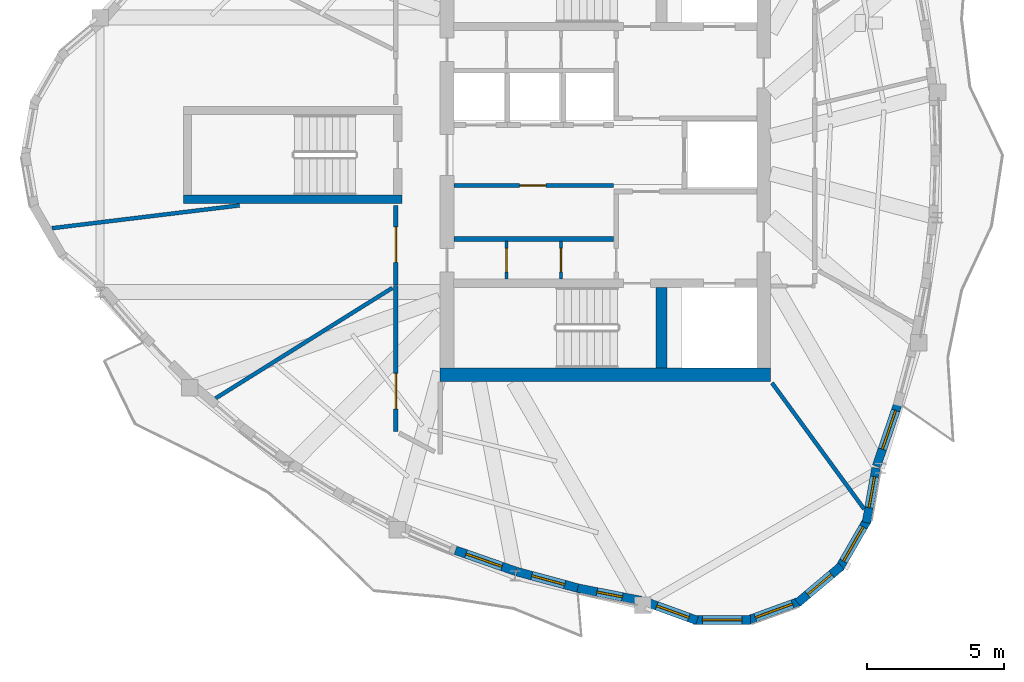
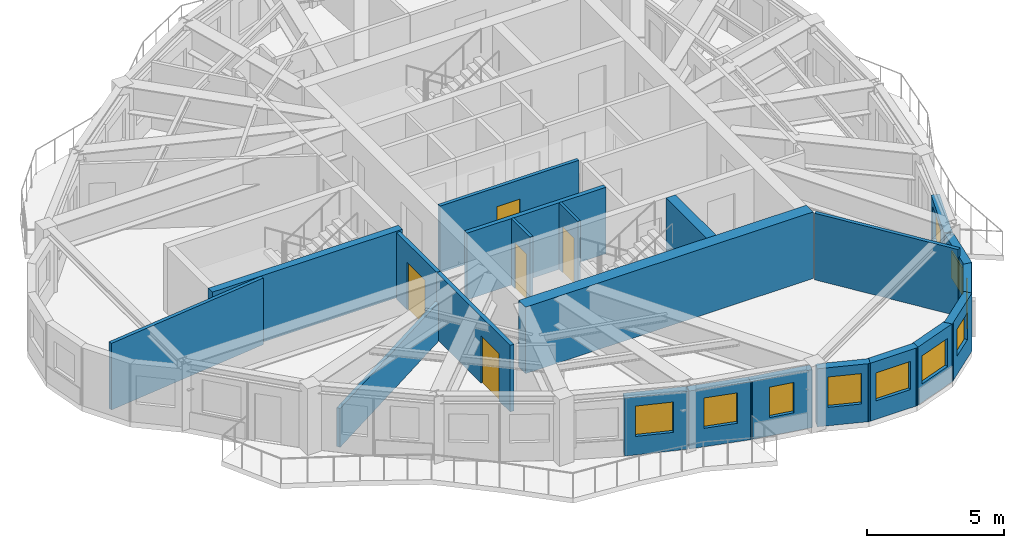
# One storey, part 3 of 11: 22 walls, 10 windows, 5 doors, 15 openings.
"""IFC4 building model written with IfcOpenShell, lengths in metres."""

from ifc_helpers import new_model, si_unit, direction, frame, frame_2d, origin, place, context, subcontext, project, spatial, rectangle, extrude, source, transform, mapped, material, layer, layer_set, type_object, element, fill, save


model = new_model("IFC4")

# Units and contexts
model_context = context("Model", 3, precision=1e-05, world=origin(), true_north=direction((0.0, 1.0)))
body_context = subcontext(model_context, "Body", "Model", "MODEL_VIEW")
ifc_project = project(units=[si_unit("LENGTHUNIT", "METRE"), si_unit("AREAUNIT", "SQUARE_METRE"), si_unit("VOLUMEUNIT", "CUBIC_METRE"), si_unit("PLANEANGLEUNIT", "RADIAN"), si_unit("MASSUNIT", "GRAM", prefix="KILO")], contexts=[model_context])

# Site, building, storey
site_placement = place(None, origin())
site = spatial("IfcSite", under=ifc_project, at=site_placement, CompositionType="ELEMENT")
building_placement = place(site_placement, origin())
building = spatial("IfcBuilding", under=site, at=building_placement, Name="Qafzar Sky-Pleat Residences", CompositionType="ELEMENT")
storey_placement = place(building_placement, frame((0.0, 0.0, 221.199951171875)))
storey = spatial("IfcBuildingStorey", under=building, at=storey_placement, Name="L66", CompositionType="ELEMENT", Elevation=221.199951171875)

# Wall, opening, door
ifc_material_1 = material(Name="Acoustic gypsum plasterboard partition", Category="gypsum")
ifc_layer_1 = layer(ifc_material_1, 0.159912109375)
ifc_layer_set_1 = layer_set([ifc_layer_1], Name="Acoustic gypsum plasterboard partition")
wall_type_1 = type_object("IfcWallType", Name="PART-COR-160", PredefinedType="PARTITIONING", material=ifc_layer_set_1)
wall_1_placement = place(storey_placement, frame((22.679931640625, 21.22607421875, 0.0), z_axis=(0.0, 0.0, 1.0), x_axis=(0.0, -1.0, 0.0)))
wall_1 = element("IfcWall", 1, at=wall_1_placement, inside=storey, type_object=wall_type_1, Name="L66 Partition Wall PART-L66-PW-003", PredefinedType="PARTITIONING", context=body_context, shape_type="SweptSolid", body=[
    extrude(rectangle(XDim=5.34814453125, YDim=0.159912109375, at=frame_2d((2.674072265625, 0.0))), origin(), (0.0, 0.0, 1.0), 2.9599609375),
])
opening_1_placement = place(wall_1_placement, frame((3.226806640625, 0.0, 0.0)))
opening_1 = element("IfcOpeningElement", 2, at=opening_1_placement, cuts=wall_1, Name="Opening ID-05", PredefinedType="OPENING", context=body_context, shape_type="SweptSolid", body=[
    extrude(rectangle(XDim=1.300048828125, YDim=2.10009765625, at=frame_2d((0.64990234375, 1.050048828125))), frame((0.0, 0.08984375, 0.0), z_axis=(0.0, -1.0, 0.0), x_axis=(1.0, 0.0, 0.0)), (0.0, 0.0, 1.0), 0.179931640625),
])
ifc_material_2 = material(Name="Timber-faced fire door", Category="wood")
door_type_1 = type_object("IfcDoorType", Name="DR-LNG-1300", OperationType="DOUBLE_DOOR_SINGLE_SWING", PredefinedType="DOOR", material=ifc_material_2)
shared_shape_1 = source(origin(), body_context, "Body", "SweptSolid", [
    extrude(rectangle(XDim=1.300048828125, YDim=2.10009765625, at=frame_2d((0.64990234375, 1.050048828125))), frame((0.0, 0.02490234375, 0.0), z_axis=(0.0, -1.0, 0.0), x_axis=(1.0, 0.0, 0.0)), (0.0, 0.0, 1.0), 0.050048828125),
])
door_1_placement = place(opening_1_placement, origin())
door_1 = element("IfcDoor", 3, at=door_1_placement, inside=storey, type_object=door_type_1, Name="L66 Academic Seminar Room Door", OperationType="DOUBLE_DOOR_SINGLE_SWING", OverallHeight=2.10009765625, OverallWidth=1.300048828125, PredefinedType="DOOR", context=body_context, shape_type="MappedRepresentation", body=[
    mapped(shared_shape_1, transform((0.0, 0.0, 0.0), x_axis=(1.0, 0.0, 0.0), y_axis=(0.0, 1.0, 0.0), z_axis=(0.0, 0.0, 1.0), scale=1.0)),
])
fill(opening_1, door_1)

wall_2_placement = place(storey_placement, frame((22.679931640625, 21.240966796875, 0.0), z_axis=(0.0, 0.0, 1.0), x_axis=(0.0, 1.0, 0.0)))
wall_2 = element("IfcWall", 4, at=wall_2_placement, inside=storey, type_object=wall_type_1, Name="L66 Partition Wall PART-L66-PW-008", PredefinedType="PARTITIONING", context=body_context, shape_type="SweptSolid", body=[
    extrude(rectangle(XDim=2.908935546875, YDim=0.159912109375, at=frame_2d((1.45458984375, 0.0))), origin(), (0.0, 0.0, 1.0), 2.9599609375),
])
opening_2_placement = place(wall_2_placement, frame((0.825927734375, 0.0, 0.0)))
opening_2 = element("IfcOpeningElement", 5, at=opening_2_placement, cuts=wall_2, Name="Opening ID-05", PredefinedType="OPENING", context=body_context, shape_type="SweptSolid", body=[
    extrude(rectangle(XDim=1.300048828125, YDim=2.10009765625, at=frame_2d((0.64990234375, 1.050048828125))), frame((0.0, 0.08984375, 0.0), z_axis=(0.0, -1.0, 0.0), x_axis=(1.0, 0.0, 0.0)), (0.0, 0.0, 1.0), 0.179931640625),
])
door_2_placement = place(opening_2_placement, origin())
door_2 = element("IfcDoor", 6, at=door_2_placement, inside=storey, type_object=door_type_1, Name="L66 Research Conference Room Door", OperationType="DOUBLE_DOOR_SINGLE_SWING", OverallHeight=2.10009765625, OverallWidth=1.300048828125, PredefinedType="DOOR", context=body_context, shape_type="MappedRepresentation", body=[
    mapped(shared_shape_1, transform((0.0, 0.0, 0.0), x_axis=(1.0, 0.0, 0.0), y_axis=(0.0, 1.0, 0.0), z_axis=(0.0, 0.0, 1.0), scale=1.0)),
])
fill(opening_2, door_2)

# Wall
ifc_material_3 = material(Name="Concrete blockwork partition", Category="masonry")
ifc_layer_2 = layer(ifc_material_3, 0.179931640625)
ifc_layer_set_2 = layer_set([ifc_layer_2], Name="Concrete blockwork partition")
wall_type_2 = type_object("IfcWallType", Name="PART-SHAFT-180", PredefinedType="PARTITIONING", material=ifc_layer_set_2)
wall_3_placement = place(storey_placement, frame((24.81005859375, 22.919921875, 0.0), z_axis=(0.0, 0.0, 1.0), x_axis=(1.0, 0.0, 0.0)))
element("IfcWall", 7, at=wall_3_placement, inside=storey, type_object=wall_type_2, Name="L66 Partition Wall PART-L66-P13-S", PredefinedType="PARTITIONING", context=body_context, shape_type="SweptSolid", body=[
    extrude(rectangle(XDim=5.83984375, YDim=0.179931640625, at=frame_2d((2.919921875, 0.0))), origin(), (0.0, 0.0, 1.0), 2.9599609375),
])

# Wall, opening, door
ifc_material_4 = material(Name="Gypsum plasterboard partition", Category="gypsum")
ifc_layer_3 = layer(ifc_material_4, 0.114990234375)
ifc_layer_set_3 = layer_set([ifc_layer_3], Name="Gypsum plasterboard partition")
wall_type_3 = type_object("IfcWallType", Name="PART-SVC-115", PredefinedType="PARTITIONING", material=ifc_layer_set_3)
wall_4_placement = place(storey_placement, frame((26.72509765625, 21.4599609375, 0.0), z_axis=(0.0, 0.0, 1.0), x_axis=(0.0, 1.0, 0.0)))
wall_4 = element("IfcWall", 8, at=wall_4_placement, inside=storey, type_object=wall_type_3, Name="L66 Partition Wall PART-L66-KC-SW-1", PredefinedType="PARTITIONING", context=body_context, shape_type="SweptSolid", body=[
    extrude(rectangle(XDim=1.380126953125, YDim=0.114990234375, at=frame_2d((0.68994140625, 0.0))), origin(), (0.0, 0.0, 1.0), 2.9599609375),
])
opening_3_placement = place(wall_4_placement, frame((0.260009765625, 0.0, 0.0)))
opening_3 = element("IfcOpeningElement", 9, at=opening_3_placement, cuts=wall_4, Name="Opening ID-09", PredefinedType="OPENING", context=body_context, shape_type="SweptSolid", body=[
    extrude(rectangle(XDim=0.860107421875, YDim=2.050048828125, at=frame_2d((0.43017578125, 1.02490234375))), frame((0.0, 0.0673828125, 0.0), z_axis=(0.0, -1.0, 0.0), x_axis=(1.0, 0.0, 0.0)), (0.0, 0.0, 1.0), 0.135009765625),
])
door_type_2 = type_object("IfcDoorType", Name="DR-SVC-860", OperationType="NOTDEFINED", PredefinedType="DOOR", material=ifc_material_2)
shared_shape_2 = source(origin(), body_context, "Body", "SweptSolid", [
    extrude(rectangle(XDim=0.860107421875, YDim=2.050048828125, at=frame_2d((0.43017578125, 1.02490234375))), frame((0.0, 0.02490234375, 0.0), z_axis=(0.0, -1.0, 0.0), x_axis=(1.0, 0.0, 0.0)), (0.0, 0.0, 1.0), 0.050048828125),
])
door_3_placement = place(opening_3_placement, origin())
door_3 = element("IfcDoor", 10, at=door_3_placement, inside=storey, type_object=door_type_2, Name="L66 Core South Cupboard 1 Door", OperationType="SINGLE_SWING_RIGHT", OverallHeight=2.050048828125, OverallWidth=0.860107421875, PredefinedType="DOOR", context=body_context, shape_type="MappedRepresentation", body=[
    mapped(shared_shape_2, transform((0.0, 0.0, 0.0), x_axis=(1.0, 0.0, 0.0), y_axis=(0.0, 1.0, 0.0), z_axis=(0.0, 0.0, 1.0), scale=1.0)),
])
fill(opening_3, door_3)

wall_5_placement = place(storey_placement, frame((28.72509765625, 21.4599609375, 0.0), z_axis=(0.0, 0.0, 1.0), x_axis=(0.0, 1.0, 0.0)))
wall_5 = element("IfcWall", 11, at=wall_5_placement, inside=storey, type_object=wall_type_3, Name="L66 Partition Wall PART-L66-KC-SW-2", PredefinedType="PARTITIONING", context=body_context, shape_type="SweptSolid", body=[
    extrude(rectangle(XDim=1.380126953125, YDim=0.114990234375, at=frame_2d((0.68994140625, 0.0))), origin(), (0.0, 0.0, 1.0), 2.9599609375),
])
opening_4_placement = place(wall_5_placement, frame((0.260009765625, 0.0, 0.0)))
opening_4 = element("IfcOpeningElement", 12, at=opening_4_placement, cuts=wall_5, Name="Opening ID-09", PredefinedType="OPENING", context=body_context, shape_type="SweptSolid", body=[
    extrude(rectangle(XDim=0.860107421875, YDim=2.050048828125, at=frame_2d((0.43017578125, 1.02490234375))), frame((0.0, 0.0673828125, 0.0), z_axis=(0.0, -1.0, 0.0), x_axis=(1.0, 0.0, 0.0)), (0.0, 0.0, 1.0), 0.135009765625),
])
door_4_placement = place(opening_4_placement, origin())
door_4 = element("IfcDoor", 13, at=door_4_placement, inside=storey, type_object=door_type_2, Name="L66 Core South Cupboard 2 Door", OperationType="SINGLE_SWING_RIGHT", OverallHeight=2.050048828125, OverallWidth=0.860107421875, PredefinedType="DOOR", context=body_context, shape_type="MappedRepresentation", body=[
    mapped(shared_shape_2, transform((0.0, 0.0, 0.0), x_axis=(1.0, 0.0, 0.0), y_axis=(0.0, 1.0, 0.0), z_axis=(0.0, 0.0, 1.0), scale=1.0)),
])
fill(opening_4, door_4)

ifc_layer_4 = layer(ifc_material_1, 0.14501953125)
ifc_layer_set_4 = layer_set([ifc_layer_4], Name="Acoustic gypsum plasterboard partition")
wall_type_4 = type_object("IfcWallType", Name="PART-UNIT-145", PredefinedType="PARTITIONING", material=ifc_layer_set_4)
wall_6_placement = place(storey_placement, frame((24.81005859375, 24.8798828125, 0.0), z_axis=(0.0, 0.0, 1.0), x_axis=(1.0, 0.0, 0.0)))
wall_6 = element("IfcWall", 14, at=wall_6_placement, inside=storey, type_object=wall_type_4, Name="L66 Partition Wall PART-L66-RECLAIM-N", PredefinedType="PARTITIONING", context=body_context, shape_type="SweptSolid", body=[
    extrude(rectangle(XDim=5.83984375, YDim=0.14501953125, at=frame_2d((2.919921875, 0.0))), origin(), (0.0, 0.0, 1.0), 2.9599609375),
])
opening_5_placement = place(wall_6_placement, frame((2.39990234375, 0.0, 0.0)))
opening_5 = element("IfcOpeningElement", 15, at=opening_5_placement, cuts=wall_6, Name="Opening ID-06", PredefinedType="OPENING", context=body_context, shape_type="SweptSolid", body=[
    extrude(rectangle(XDim=0.9599609375, YDim=2.10009765625, at=frame_2d((0.47998046875, 1.050048828125))), frame((0.0, 0.08251953125, 0.0), z_axis=(0.0, -1.0, 0.0), x_axis=(1.0, 0.0, 0.0)), (0.0, 0.0, 1.0), 0.1650390625),
])
door_type_3 = type_object("IfcDoorType", Name="DR-STD-960", OperationType="NOTDEFINED", PredefinedType="DOOR", material=ifc_material_2)
shared_shape_3 = source(origin(), body_context, "Body", "SweptSolid", [
    extrude(rectangle(XDim=0.9599609375, YDim=2.10009765625, at=frame_2d((0.47998046875, 1.050048828125))), frame((0.0, 0.02490234375, 0.0), z_axis=(0.0, -1.0, 0.0), x_axis=(1.0, 0.0, 0.0)), (0.0, 0.0, 1.0), 0.050048828125),
])
door_5_placement = place(opening_5_placement, origin())
door_5 = element("IfcDoor", 16, at=door_5_placement, inside=storey, type_object=door_type_3, Name="L66 Reclaimed Resident Laundry Room Door", OperationType="SINGLE_SWING_LEFT", OverallHeight=2.10009765625, OverallWidth=0.9599609375, PredefinedType="DOOR", context=body_context, shape_type="MappedRepresentation", body=[
    mapped(shared_shape_3, transform((0.0, 0.0, 0.0), x_axis=(1.0, 0.0, 0.0), y_axis=(0.0, 1.0, 0.0), z_axis=(0.0, 0.0, 1.0), scale=1.0)),
])
fill(opening_5, door_5)

# Walls
wall_7_placement = place(storey_placement, frame((16.082763671875, 17.087646484375, 0.0), z_axis=(0.0, 0.0, 1.0), x_axis=(0.848100737451, 0.529835011239, 0.0)))
element("IfcWall", 17, at=wall_7_placement, inside=storey, type_object=wall_type_4, Name="L66 Partition Wall PART-L66-PW-012", PredefinedType="PARTITIONING", context=body_context, shape_type="SweptSolid", body=[
    extrude(rectangle(XDim=7.631103515625, YDim=0.14501953125, at=frame_2d((3.8154296875, 0.0))), origin(), (0.0, 0.0, 1.0), 1.72802734375),
])
wall_8_placement = place(storey_placement, frame((10.087158203125, 23.31494140625, 0.0), z_axis=(0.0, 0.0, 1.0), x_axis=(0.992692853732, 0.120668546642, 0.0)))
element("IfcWall", 18, at=wall_8_placement, inside=storey, type_object=wall_type_4, Name="L66 Partition Wall PART-L66-PW-013", PredefinedType="PARTITIONING", context=body_context, shape_type="SweptSolid", body=[
    extrude(rectangle(XDim=6.91943359375, YDim=0.14501953125, at=frame_2d((3.459716796875, 0.0))), origin(), (0.0, 0.0, 1.0), 2.9599609375),
])
wall_9_placement = place(storey_placement, frame((36.451904296875, 17.65087890625, 0.0), z_axis=(0.0, 0.0, 1.0), x_axis=(0.58995882053, -0.807433334758, 0.0)))
element("IfcWall", 19, at=wall_9_placement, inside=storey, type_object=wall_type_4, Name="L66 Partition Wall PART-L66-PW-016", PredefinedType="PARTITIONING", context=body_context, shape_type="SweptSolid", body=[
    extrude(rectangle(XDim=5.721923828125, YDim=0.14501953125, at=frame_2d((2.86083984375, 0.0))), origin(), (0.0, 0.0, 1.0), 2.9599609375),
])

# Wall, opening, window
ifc_material_5 = material(Name="Precast concrete C40/50 with honed Riyadh limestone", Category="concrete")
ifc_layer_5 = layer(ifc_material_5, 0.320068359375)
ifc_layer_set_5 = layer_set([ifc_layer_5], Name="Precast concrete C40/50 with honed Riyadh limestone")
wall_type_5 = type_object("IfcWallType", Name="WALL-EXT-320", PredefinedType="SOLIDWALL", material=ifc_layer_set_5)
wall_10_placement = place(storey_placement, frame((24.863525390625, 11.522216796875, 0.0), z_axis=(0.0, 0.0, 1.0), x_axis=(0.944161921953, -0.329481813054, 0.0)))
wall_10 = element("IfcWall", 20, at=wall_10_placement, inside=storey, type_object=wall_type_5, Name="L66 Limestone Facade Wall 14", PredefinedType="SOLIDWALL", context=body_context, shape_type="SweptSolid", body=[
    extrude(rectangle(XDim=2.35400390625, YDim=0.320068359375, at=frame_2d((1.177001953125, 0.0))), origin(), (0.0, 0.0, 1.0), 2.580078125),
])
opening_6_placement = place(wall_10_placement, frame((0.406982421875, 0.0, 0.820068359375)))
opening_6 = element("IfcOpeningElement", 21, at=opening_6_placement, cuts=wall_10, Name="Opening WN-10", PredefinedType="OPENING", context=body_context, shape_type="SweptSolid", body=[
    extrude(rectangle(XDim=1.39990234375, YDim=1.35009765625, at=frame_2d((0.699951171875, 0.675048828125))), frame((0.0, 0.169921875, 0.0), z_axis=(0.0, -1.0, 0.0), x_axis=(1.0, 0.0, 0.0)), (0.0, 0.0, 1.0), 0.340087890625),
])
ifc_material_6 = material(Name="Solar-control low-E glass in bronze aluminium frame", Category="glass")
window_type_1 = type_object("IfcWindowType", Name="WIN-10", PartitioningType="SINGLE_PANEL", PredefinedType="WINDOW", material=ifc_material_6)
shared_shape_4 = source(origin(), body_context, "Body", "SweptSolid", [
    extrude(rectangle(XDim=1.39990234375, YDim=1.35009765625, at=frame_2d((0.699951171875, 0.675048828125))), frame((0.0, 0.030029296875, 0.0), z_axis=(0.0, -1.0, 0.0), x_axis=(1.0, 0.0, 0.0)), (0.0, 0.0, 1.0), 0.06005859375),
])
window_1_placement = place(opening_6_placement, origin())
window_1 = element("IfcWindow", 22, at=window_1_placement, inside=storey, type_object=window_type_1, Name="L66 Punched Facade Window 14", OverallHeight=1.35009765625, OverallWidth=1.39990234375, PartitioningType="SINGLE_PANEL", PredefinedType="WINDOW", context=body_context, shape_type="MappedRepresentation", body=[
    mapped(shared_shape_4, transform((0.0, 0.0, 0.0), x_axis=(1.0, 0.0, 0.0), y_axis=(0.0, 1.0, 0.0), z_axis=(0.0, 0.0, 1.0), scale=1.0)),
])
fill(opening_6, window_1)

wall_11_placement = place(storey_placement, frame((27.11328125, 10.738037109375, 0.0), z_axis=(0.0, 0.0, 1.0), x_axis=(0.965455009368, -0.260569808087, 0.0)))
wall_11 = element("IfcWall", 23, at=wall_11_placement, inside=storey, type_object=wall_type_5, Name="L66 Limestone Facade Wall 15", PredefinedType="SOLIDWALL", context=body_context, shape_type="SweptSolid", body=[
    extrude(rectangle(XDim=2.39306640625, YDim=0.320068359375, at=frame_2d((1.196533203125, 0.0))), origin(), (0.0, 0.0, 1.0), 2.580078125),
])
opening_7_placement = place(wall_11_placement, frame((0.561279296875, 0.0, 0.820068359375)))
opening_7 = element("IfcOpeningElement", 24, at=opening_7_placement, cuts=wall_11, Name="Opening WN-11", PredefinedType="OPENING", context=body_context, shape_type="SweptSolid", body=[
    extrude(rectangle(XDim=1.25, YDim=1.35009765625, at=frame_2d((0.625, 0.675048828125))), frame((0.0, 0.169921875, 0.0), z_axis=(0.0, -1.0, 0.0), x_axis=(1.0, 0.0, 0.0)), (0.0, 0.0, 1.0), 0.340087890625),
])
window_type_2 = type_object("IfcWindowType", Name="WIN-11", PartitioningType="SINGLE_PANEL", PredefinedType="WINDOW", material=ifc_material_6)
shared_shape_5 = source(origin(), body_context, "Body", "SweptSolid", [
    extrude(rectangle(XDim=1.25, YDim=1.35009765625, at=frame_2d((0.625, 0.675048828125))), frame((0.0, 0.030029296875, 0.0), z_axis=(0.0, -1.0, 0.0), x_axis=(1.0, 0.0, 0.0)), (0.0, 0.0, 1.0), 0.06005859375),
])
window_2_placement = place(opening_7_placement, origin())
window_2 = element("IfcWindow", 25, at=window_2_placement, inside=storey, type_object=window_type_2, Name="L66 Punched Facade Window 15", OverallHeight=1.35009765625, OverallWidth=1.25, PartitioningType="SINGLE_PANEL", PredefinedType="WINDOW", context=body_context, shape_type="MappedRepresentation", body=[
    mapped(shared_shape_5, transform((0.0, 0.0, 0.0), x_axis=(1.0, 0.0, 0.0), y_axis=(0.0, 1.0, 0.0), z_axis=(0.0, 0.0, 1.0), scale=1.0)),
])
fill(opening_7, window_2)

wall_12_placement = place(storey_placement, frame((29.338623046875, 10.13427734375, 0.0), z_axis=(0.0, 0.0, 1.0), x_axis=(0.98122414649, -0.192870874795, 0.0)))
wall_12 = element("IfcWall", 26, at=wall_12_placement, inside=storey, type_object=wall_type_5, Name="L66 Limestone Facade Wall 16", PredefinedType="SOLIDWALL", context=body_context, shape_type="SweptSolid", body=[
    extrude(rectangle(XDim=2.37353515625, YDim=0.320068359375, at=frame_2d((1.186767578125, 0.0))), origin(), (0.0, 0.0, 1.0), 2.580078125),
])
opening_8_placement = place(wall_12_placement, frame((0.716796875, 0.0, 0.820068359375)))
opening_8 = element("IfcOpeningElement", 27, at=opening_8_placement, cuts=wall_12, Name="Opening WN-12", PredefinedType="OPENING", context=body_context, shape_type="SweptSolid", body=[
    extrude(rectangle(XDim=0.949951171875, YDim=1.35009765625, at=frame_2d((0.47509765625, 0.675048828125))), frame((0.0, 0.169921875, 0.0), z_axis=(0.0, -1.0, 0.0), x_axis=(1.0, 0.0, 0.0)), (0.0, 0.0, 1.0), 0.340087890625),
])
window_type_3 = type_object("IfcWindowType", Name="WIN-12", PartitioningType="SINGLE_PANEL", PredefinedType="WINDOW", material=ifc_material_6)
shared_shape_6 = source(origin(), body_context, "Body", "SweptSolid", [
    extrude(rectangle(XDim=0.949951171875, YDim=1.35009765625, at=frame_2d((0.47509765625, 0.675048828125))), frame((0.0, 0.030029296875, 0.0), z_axis=(0.0, -1.0, 0.0), x_axis=(1.0, 0.0, 0.0)), (0.0, 0.0, 1.0), 0.06005859375),
])
window_3_placement = place(opening_8_placement, origin())
window_3 = element("IfcWindow", 28, at=window_3_placement, inside=storey, type_object=window_type_3, Name="L66 Punched Facade Window 16", OverallHeight=1.35009765625, OverallWidth=0.949951171875, PartitioningType="SINGLE_PANEL", PredefinedType="WINDOW", context=body_context, shape_type="MappedRepresentation", body=[
    mapped(shared_shape_6, transform((0.0, 0.0, 0.0), x_axis=(1.0, 0.0, 0.0), y_axis=(0.0, 1.0, 0.0), z_axis=(0.0, 0.0, 1.0), scale=1.0)),
])
fill(opening_8, window_3)

wall_13_placement = place(storey_placement, frame((31.8642578125, 9.621826171875, 0.0), z_axis=(0.0, 0.0, 1.0), x_axis=(0.939695306975, -0.342012762991, 0.0)))
wall_13 = element("IfcWall", 29, at=wall_13_placement, inside=storey, type_object=wall_type_5, Name="L66 Limestone Facade Wall 17", PredefinedType="SOLIDWALL", context=body_context, shape_type="SweptSolid", body=[
    extrude(rectangle(XDim=1.96240234375, YDim=0.320068359375, at=frame_2d((0.981201171875, 0.0))), origin(), (0.0, 0.0, 1.0), 2.580078125),
])
opening_9_placement = place(wall_13_placement, frame((0.39111328125, 0.0, 0.820068359375)))
opening_9 = element("IfcOpeningElement", 30, at=opening_9_placement, cuts=wall_13, Name="Opening WN-11", PredefinedType="OPENING", context=body_context, shape_type="SweptSolid", body=[
    extrude(rectangle(XDim=1.25, YDim=1.35009765625, at=frame_2d((0.625, 0.675048828125))), frame((0.0, 0.169921875, 0.0), z_axis=(0.0, -1.0, 0.0), x_axis=(1.0, 0.0, 0.0)), (0.0, 0.0, 1.0), 0.340087890625),
])
window_4_placement = place(opening_9_placement, origin())
window_4 = element("IfcWindow", 31, at=window_4_placement, inside=storey, type_object=window_type_2, Name="L66 Punched Facade Window 17", OverallHeight=1.35009765625, OverallWidth=1.25, PartitioningType="SINGLE_PANEL", PredefinedType="WINDOW", context=body_context, shape_type="MappedRepresentation", body=[
    mapped(shared_shape_5, transform((0.0, 0.0, 0.0), x_axis=(1.0, 0.0, 0.0), y_axis=(0.0, 1.0, 0.0), z_axis=(0.0, 0.0, 1.0), scale=1.0)),
])
fill(opening_9, window_4)

wall_14_placement = place(storey_placement, frame((33.579833984375, 8.973388671875, 0.0), z_axis=(0.0, 0.0, 1.0), x_axis=(1.0, 0.0, 0.0)))
wall_14 = element("IfcWall", 32, at=wall_14_placement, inside=storey, type_object=wall_type_5, Name="L66 Limestone Facade Wall 18", PredefinedType="SOLIDWALL", context=body_context, shape_type="SweptSolid", body=[
    extrude(rectangle(XDim=2.09033203125, YDim=0.320068359375, at=frame_2d((1.045166015625, 0.0))), origin(), (0.0, 0.0, 1.0), 2.580078125),
])
opening_10_placement = place(wall_14_placement, frame((0.3203125, 0.0, 0.820068359375)))
opening_10 = element("IfcOpeningElement", 33, at=opening_10_placement, cuts=wall_14, Name="Opening WN-15", PredefinedType="OPENING", context=body_context, shape_type="SweptSolid", body=[
    extrude(rectangle(XDim=1.449951171875, YDim=1.25, at=frame_2d((0.72509765625, 0.625))), frame((0.0, 0.169921875, 0.0), z_axis=(0.0, -1.0, 0.0), x_axis=(1.0, 0.0, 0.0)), (0.0, 0.0, 1.0), 0.340087890625),
])
window_type_4 = type_object("IfcWindowType", Name="WIN-15", PartitioningType="SINGLE_PANEL", PredefinedType="WINDOW", material=ifc_material_6)
shared_shape_7 = source(origin(), body_context, "Body", "SweptSolid", [
    extrude(rectangle(XDim=1.449951171875, YDim=1.25, at=frame_2d((0.72509765625, 0.625))), frame((0.0, 0.030029296875, 0.0), z_axis=(0.0, -1.0, 0.0), x_axis=(1.0, 0.0, 0.0)), (0.0, 0.0, 1.0), 0.06005859375),
])
window_5_placement = place(opening_10_placement, origin())
window_5 = element("IfcWindow", 34, at=window_5_placement, inside=storey, type_object=window_type_4, Name="L66 Punched Facade Window 18", OverallHeight=1.25, OverallWidth=1.449951171875, PartitioningType="SINGLE_PANEL", PredefinedType="WINDOW", context=body_context, shape_type="MappedRepresentation", body=[
    mapped(shared_shape_7, transform((0.0, 0.0, 0.0), x_axis=(1.0, 0.0, 0.0), y_axis=(0.0, 1.0, 0.0), z_axis=(0.0, 0.0, 1.0), scale=1.0)),
])
fill(opening_10, window_5)

wall_15_placement = place(storey_placement, frame((35.541748046875, 8.95068359375, 0.0), z_axis=(0.0, 0.0, 1.0), x_axis=(0.939711556618, 0.341968113072, 0.0)))
wall_15 = element("IfcWall", 35, at=wall_15_placement, inside=storey, type_object=wall_type_5, Name="L66 Limestone Facade Wall 19", PredefinedType="SOLIDWALL", context=body_context, shape_type="SweptSolid", body=[
    extrude(rectangle(XDim=2.09033203125, YDim=0.320068359375, at=frame_2d((1.045166015625, 0.0))), origin(), (0.0, 0.0, 1.0), 2.580078125),
])
opening_11_placement = place(wall_15_placement, frame((0.320068359375, 0.0, 0.820068359375)))
opening_11 = element("IfcOpeningElement", 36, at=opening_11_placement, cuts=wall_15, Name="Opening WN-15", PredefinedType="OPENING", context=body_context, shape_type="SweptSolid", body=[
    extrude(rectangle(XDim=1.449951171875, YDim=1.25, at=frame_2d((0.72509765625, 0.625))), frame((0.0, 0.169921875, 0.0), z_axis=(0.0, -1.0, 0.0), x_axis=(1.0, 0.0, 0.0)), (0.0, 0.0, 1.0), 0.340087890625),
])
window_6_placement = place(opening_11_placement, origin())
window_6 = element("IfcWindow", 37, at=window_6_placement, inside=storey, type_object=window_type_4, Name="L66 Punched Facade Window 19", OverallHeight=1.25, OverallWidth=1.449951171875, PartitioningType="SINGLE_PANEL", PredefinedType="WINDOW", context=body_context, shape_type="MappedRepresentation", body=[
    mapped(shared_shape_7, transform((0.0, 0.0, 0.0), x_axis=(1.0, 0.0, 0.0), y_axis=(0.0, 1.0, 0.0), z_axis=(0.0, 0.0, 1.0), scale=1.0)),
])
fill(opening_11, window_6)

wall_16_placement = place(storey_placement, frame((37.39306640625, 9.600341796875, 0.0), z_axis=(0.0, 0.0, 1.0), x_axis=(0.766024572719, 0.642811289563, 0.0)))
wall_16 = element("IfcWall", 38, at=wall_16_placement, inside=storey, type_object=wall_type_5, Name="L66 Limestone Facade Wall 20", PredefinedType="SOLIDWALL", context=body_context, shape_type="SweptSolid", body=[
    extrude(rectangle(XDim=2.09033203125, YDim=0.320068359375, at=frame_2d((1.045166015625, 0.0))), origin(), (0.0, 0.0, 1.0), 2.580078125),
])
opening_12_placement = place(wall_16_placement, frame((0.47021484375, 0.0, 0.820068359375)))
opening_12 = element("IfcOpeningElement", 39, at=opening_12_placement, cuts=wall_16, Name="Opening WN-16", PredefinedType="OPENING", context=body_context, shape_type="SweptSolid", body=[
    extrude(rectangle(XDim=1.14990234375, YDim=1.199951171875, at=frame_2d((0.574951171875, 0.60009765625))), frame((0.0, 0.169921875, 0.0), z_axis=(0.0, -1.0, 0.0), x_axis=(1.0, 0.0, 0.0)), (0.0, 0.0, 1.0), 0.340087890625),
])
window_type_5 = type_object("IfcWindowType", Name="WIN-16", PartitioningType="SINGLE_PANEL", PredefinedType="WINDOW", material=ifc_material_6)
shared_shape_8 = source(origin(), body_context, "Body", "SweptSolid", [
    extrude(rectangle(XDim=1.14990234375, YDim=1.199951171875, at=frame_2d((0.574951171875, 0.60009765625))), frame((0.0, 0.030029296875, 0.0), z_axis=(0.0, -1.0, 0.0), x_axis=(1.0, 0.0, 0.0)), (0.0, 0.0, 1.0), 0.06005859375),
])
window_7_placement = place(opening_12_placement, origin())
window_7 = element("IfcWindow", 40, at=window_7_placement, inside=storey, type_object=window_type_5, Name="L66 Punched Facade Window 20", OverallHeight=1.199951171875, OverallWidth=1.14990234375, PartitioningType="SINGLE_PANEL", PredefinedType="WINDOW", context=body_context, shape_type="MappedRepresentation", body=[
    mapped(shared_shape_8, transform((0.0, 0.0, 0.0), x_axis=(1.0, 0.0, 0.0), y_axis=(0.0, 1.0, 0.0), z_axis=(0.0, 0.0, 1.0), scale=1.0)),
])
fill(opening_12, window_7)

wall_17_placement = place(storey_placement, frame((38.910400390625, 10.843994140625, 0.0), z_axis=(0.0, 0.0, 1.0), x_axis=(0.499995423472, 0.866028046028, 0.0)))
wall_17 = element("IfcWall", 41, at=wall_17_placement, inside=storey, type_object=wall_type_5, Name="L66 Limestone Facade Wall 21", PredefinedType="SOLIDWALL", context=body_context, shape_type="SweptSolid", body=[
    extrude(rectangle(XDim=2.09033203125, YDim=0.320068359375, at=frame_2d((1.045166015625, 0.0))), origin(), (0.0, 0.0, 1.0), 2.580078125),
])
opening_13_placement = place(wall_17_placement, frame((0.320068359375, 0.0, 0.820068359375)))
opening_13 = element("IfcOpeningElement", 42, at=opening_13_placement, cuts=wall_17, Name="Opening WN-15", PredefinedType="OPENING", context=body_context, shape_type="SweptSolid", body=[
    extrude(rectangle(XDim=1.449951171875, YDim=1.25, at=frame_2d((0.72509765625, 0.625))), frame((0.0, 0.169921875, 0.0), z_axis=(0.0, -1.0, 0.0), x_axis=(1.0, 0.0, 0.0)), (0.0, 0.0, 1.0), 0.340087890625),
])
window_8_placement = place(opening_13_placement, origin())
window_8 = element("IfcWindow", 43, at=window_8_placement, inside=storey, type_object=window_type_4, Name="L66 Punched Facade Window 21", OverallHeight=1.25, OverallWidth=1.449951171875, PartitioningType="SINGLE_PANEL", PredefinedType="WINDOW", context=body_context, shape_type="MappedRepresentation", body=[
    mapped(shared_shape_7, transform((0.0, 0.0, 0.0), x_axis=(1.0, 0.0, 0.0), y_axis=(0.0, 1.0, 0.0), z_axis=(0.0, 0.0, 1.0), scale=1.0)),
])
fill(opening_13, window_8)

wall_18_placement = place(storey_placement, frame((39.910888671875, 12.53173828125, 0.0), z_axis=(0.0, 0.0, 1.0), x_axis=(0.17370309897, 0.984798067326, 0.0)))
wall_18 = element("IfcWall", 44, at=wall_18_placement, inside=storey, type_object=wall_type_5, Name="L66 Limestone Facade Wall 22", PredefinedType="SOLIDWALL", context=body_context, shape_type="SweptSolid", body=[
    extrude(rectangle(XDim=2.032470703125, YDim=0.320068359375, at=frame_2d((1.01611328125, 0.0))), origin(), (0.0, 0.0, 1.0), 2.580078125),
])
opening_14_placement = place(wall_18_placement, frame((0.560791015625, 0.0, 0.820068359375)))
opening_14 = element("IfcOpeningElement", 45, at=opening_14_placement, cuts=wall_18, Name="Opening WN-16", PredefinedType="OPENING", context=body_context, shape_type="SweptSolid", body=[
    extrude(rectangle(XDim=1.14990234375, YDim=1.199951171875, at=frame_2d((0.574951171875, 0.60009765625))), frame((0.0, 0.169921875, 0.0), z_axis=(0.0, -1.0, 0.0), x_axis=(1.0, 0.0, 0.0)), (0.0, 0.0, 1.0), 0.340087890625),
])
window_9_placement = place(opening_14_placement, origin())
window_9 = element("IfcWindow", 46, at=window_9_placement, inside=storey, type_object=window_type_5, Name="L66 Punched Facade Window 22-2", OverallHeight=1.199951171875, OverallWidth=1.14990234375, PartitioningType="SINGLE_PANEL", PredefinedType="WINDOW", context=body_context, shape_type="MappedRepresentation", body=[
    mapped(shared_shape_8, transform((0.0, 0.0, 0.0), x_axis=(1.0, 0.0, 0.0), y_axis=(0.0, 1.0, 0.0), z_axis=(0.0, 0.0, 1.0), scale=1.0)),
])
fill(opening_14, window_9)

wall_19_placement = place(storey_placement, frame((40.280029296875, 14.595947265625, 0.0), z_axis=(0.0, 0.0, 1.0), x_axis=(0.323652367975, 0.946176064326, 0.0)))
wall_19 = element("IfcWall", 47, at=wall_19_placement, inside=storey, type_object=wall_type_5, Name="L66 Limestone Facade Wall 23", PredefinedType="SOLIDWALL", context=body_context, shape_type="SweptSolid", body=[
    extrude(rectangle(XDim=2.443359375, YDim=0.320068359375, at=frame_2d((1.2216796875, 0.0))), origin(), (0.0, 0.0, 1.0), 2.580078125),
])
opening_15_placement = place(wall_19_placement, frame((0.66162109375, 0.0, 0.820068359375)))
opening_15 = element("IfcOpeningElement", 48, at=opening_15_placement, cuts=wall_19, Name="Opening WN-03", PredefinedType="OPENING", context=body_context, shape_type="SweptSolid", body=[
    extrude(rectangle(XDim=1.5, YDim=1.449951171875, at=frame_2d((0.75, 0.72509765625))), frame((0.0, 0.169921875, 0.0), z_axis=(0.0, -1.0, 0.0), x_axis=(1.0, 0.0, 0.0)), (0.0, 0.0, 1.0), 0.340087890625),
])
window_type_6 = type_object("IfcWindowType", Name="WIN-03", PartitioningType="DOUBLE_PANEL_VERTICAL", PredefinedType="WINDOW", material=ifc_material_6)
shared_shape_9 = source(origin(), body_context, "Body", "SweptSolid", [
    extrude(rectangle(XDim=1.5, YDim=1.449951171875, at=frame_2d((0.75, 0.72509765625))), frame((0.0, 0.030029296875, 0.0), z_axis=(0.0, -1.0, 0.0), x_axis=(1.0, 0.0, 0.0)), (0.0, 0.0, 1.0), 0.06005859375),
])
window_10_placement = place(opening_15_placement, origin())
window_10 = element("IfcWindow", 49, at=window_10_placement, inside=storey, type_object=window_type_6, Name="L66 Punched Facade Window 23", OverallHeight=1.449951171875, OverallWidth=1.5, PartitioningType="SINGLE_PANEL", PredefinedType="WINDOW", context=body_context, shape_type="MappedRepresentation", body=[
    mapped(shared_shape_9, transform((0.0, 0.0, 0.0), x_axis=(1.0, 0.0, 0.0), y_axis=(0.0, 1.0, 0.0), z_axis=(0.0, 0.0, 1.0), scale=1.0)),
])
fill(opening_15, window_10)

# Walls
ifc_material_7 = material(Name="Concrete C60/75", Category="concrete")
ifc_layer_6 = layer(ifc_material_7, 0.300048828125)
ifc_layer_set_6 = layer_set([ifc_layer_6], Name="Concrete C60/75")
wall_type_6 = type_object("IfcWallType", Name="WALL-SHEAR-300", PredefinedType="SHEAR", material=ifc_layer_set_6)
wall_20_placement = place(storey_placement, frame((14.89990234375, 24.375, 0.0), z_axis=(0.0, 0.0, 1.0), x_axis=(1.0, 0.0, 0.0)))
element("IfcWall", 50, at=wall_20_placement, inside=storey, type_object=wall_type_6, Name="L66 ST3 wall S", PredefinedType="SHEAR", context=body_context, shape_type="SweptSolid", body=[
    extrude(rectangle(XDim=8.0, YDim=0.300048828125, at=frame_2d((4.0, 0.0))), origin(), (0.0, 0.0, 1.0), 2.9599609375),
])
ifc_layer_7 = layer(ifc_material_7, 0.39990234375)
ifc_layer_set_7 = layer_set([ifc_layer_7], Name="Concrete C60/75")
wall_type_7 = type_object("IfcWallType", Name="WALL-SHEAR-400", PredefinedType="SHEAR", material=ifc_layer_set_7)
wall_21_placement = place(storey_placement, frame((32.39990234375, 18.199951171875, 0.0), z_axis=(0.0, 0.0, 1.0), x_axis=(0.0, 1.0, 0.0)))
element("IfcWall", 51, at=wall_21_placement, inside=storey, type_object=wall_type_7, Name="L66 Stair ST1 East Dividing Wall", PredefinedType="SHEAR", context=body_context, shape_type="SweptSolid", body=[
    extrude(rectangle(XDim=2.949951171875, YDim=0.39990234375, at=frame_2d((1.47509765625, 0.0))), origin(), (0.0, 0.0, 1.0), 2.9599609375),
])
ifc_layer_8 = layer(ifc_material_7, 0.5)
ifc_layer_set_8 = layer_set([ifc_layer_8], Name="Concrete C60/75")
wall_type_8 = type_object("IfcWallType", Name="WALL-SHEAR-500", PredefinedType="SHEAR", material=ifc_layer_set_8)
wall_22_placement = place(storey_placement, frame((24.300048828125, 17.949951171875, 0.0), z_axis=(0.0, 0.0, 1.0), x_axis=(1.0, 0.0, 0.0)))
element("IfcWall", 52, at=wall_22_placement, inside=storey, type_object=wall_type_8, Name="L66 CORE wall S", PredefinedType="SHEAR", context=body_context, shape_type="SweptSolid", body=[
    extrude(rectangle(XDim=12.099853515625, YDim=0.5, at=frame_2d((6.0498046875, 0.0))), origin(), (0.0, 0.0, 1.0), 2.9599609375),
])

save(model, "model.ifc")
